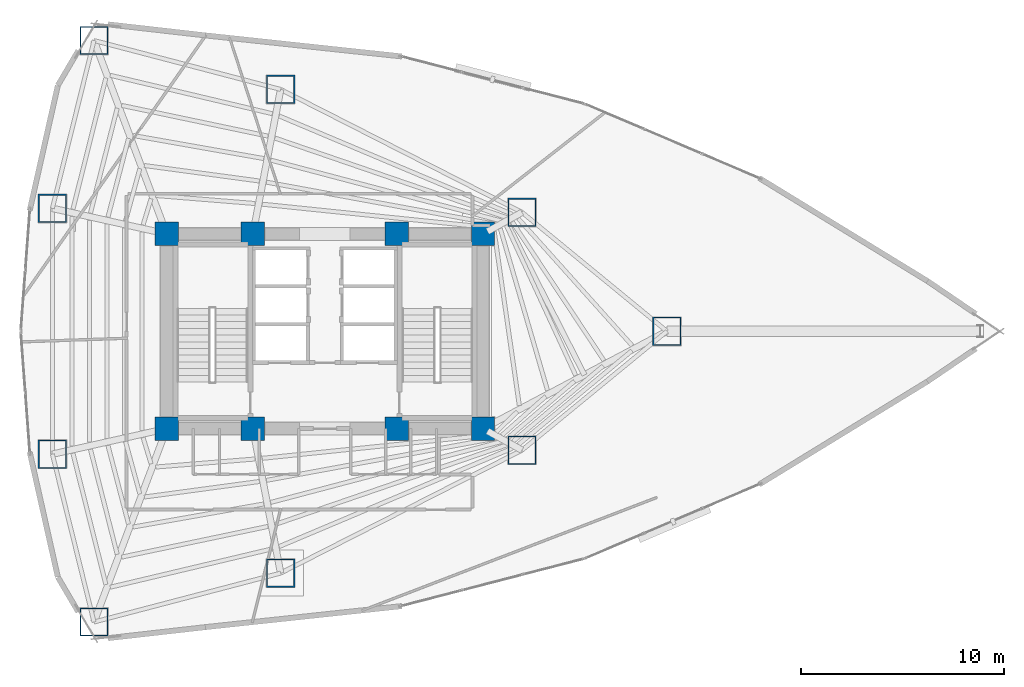
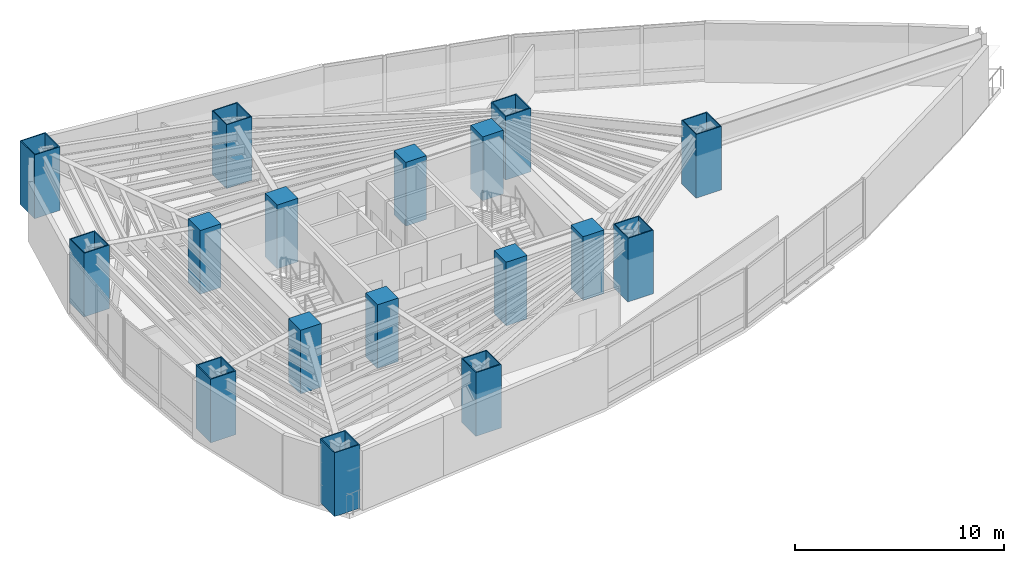
# One storey, part 1 of 20: 17 columns.
"""IFC4 building model written with IfcOpenShell, lengths in metres."""

from ifc_helpers import new_model, si_unit, direction, frame, origin, origin_2d, place, context, subcontext, project, spatial, rectangle, hollow_rectangle, extrude, material, material_profile, profile_set, type_object, element, save


model = new_model("IFC4")

# Units and contexts
model_context = context("Model", 3, precision=1e-05, world=origin(), true_north=direction((0.0, 1.0)))
body_context = subcontext(model_context, "Body", "Model", "MODEL_VIEW")
ifc_project = project(units=[si_unit("LENGTHUNIT", "METRE"), si_unit("AREAUNIT", "SQUARE_METRE"), si_unit("VOLUMEUNIT", "CUBIC_METRE"), si_unit("PLANEANGLEUNIT", "RADIAN"), si_unit("MASSUNIT", "GRAM", prefix="KILO")], contexts=[model_context])

# Site, building, storey
site_placement = place(None, origin())
site = spatial("IfcSite", under=ifc_project, at=site_placement, CompositionType="ELEMENT")
building_placement = place(site_placement, origin())
building = spatial("IfcBuilding", under=site, at=building_placement, Name="Menara Vayukalpa", CompositionType="ELEMENT")
storey_placement = place(building_placement, frame((0.0, 0.0, 57.360107421875)))
storey = spatial("IfcBuildingStorey", under=building, at=storey_placement, Name="L13", CompositionType="ELEMENT", Elevation=57.360107421875)

# Columns
ifc_material_1 = material(Name="Concrete C80/95", Category="concrete")
ifc_material_profile_1 = material_profile(ifc_material_1, rectangle(XDim=1.14990234375, YDim=1.14990234375, at=origin_2d()), Name="RC 1150x1150")
ifc_profile_set_1 = profile_set([ifc_material_profile_1], Name="Concrete C80/95")
column_type_1 = type_object("IfcColumnType", Name="COL-CC1", PredefinedType="COLUMN", material=ifc_profile_set_1)
for number, where, z_axis, x_axis, name in (
    (1, (17.800048828125, 17.199951171875, 0.0), (0.0, 0.0, 1.0), (1.0, 0.0, 0.0), "L13 Core Pilaster Column CC1"),
    (2, (22.050048828125, 17.199951171875, 0.0), (0.0, 0.0, 1.0), (1.0, 0.0, 0.0), "L13 Core Pilaster Column CC2"),
    (3, (29.14990234375, 17.199951171875, 0.0), (0.0, 0.0, 1.0), (1.0, 0.0, 0.0), "L13 Core Pilaster Column CC3"),
    (4, (33.39990234375, 17.199951171875, 0.0), (0.0, 0.0, 1.0), (1.0, 0.0, 0.0), "L13 Core Pilaster Column CC4"),
    (5, (17.800048828125, 26.800048828125, 0.0), (0.0, 0.0, 1.0), (1.0, 0.0, 0.0), "L13 Core Pilaster Column CC5"),
    (6, (22.050048828125, 26.800048828125, 0.0), (0.0, 0.0, 1.0), (1.0, 0.0, 0.0), "L13 Core Pilaster Column CC6"),
    (7, (29.14990234375, 26.800048828125, 0.0), (0.0, 0.0, 1.0), (1.0, 0.0, 0.0), "L13 Core Pilaster Column CC7"),
    (8, (33.39990234375, 26.800048828125, 0.0), (0.0, 0.0, 1.0), (1.0, 0.0, 0.0), "L13 Core Pilaster Column CC8"),
):
    element("IfcColumn", number, at=place(storey_placement, frame(where, z_axis=z_axis, x_axis=x_axis)), inside=storey, type_object=column_type_1, Name=name, PredefinedType="COLUMN", context=body_context, shape_type="SweptSolid", body=[
        extrude(rectangle(XDim=1.14990234375, YDim=1.14990234375, at=origin_2d()), origin(), (0.0, 0.0, 1.0), 3.719970703125),
    ])
ifc_material_2 = material(Name="Steel S460", Category="steel")
ifc_material_profile_2 = material_profile(ifc_material_2, hollow_rectangle(XDim=1.39990234375, YDim=1.39990234375, WallThickness=0.054931640625, at=origin_2d()), Name="BOX 1400x1400x55")
ifc_profile_set_2 = profile_set([ifc_material_profile_2], Name="Steel S460")
column_type_2 = type_object("IfcColumnType", Name="COL-MC1", PredefinedType="COLUMN", material=ifc_profile_set_2)
for number, where, z_axis, x_axis, name in (
    (9, (42.46484375, 22.0, 0.0), (0.0, 0.0, 1.0), (1.0, 0.0, 0.0), "L13 Perimeter Mega Column P01"),
    (10, (35.318115234375, 27.86328125, 0.0), (0.0, 0.0, 1.0), (1.0, 0.0, 0.0), "L13 Perimeter Mega Column P02"),
    (11, (23.41943359375, 33.9228515625, 0.0), (0.0, 0.0, 1.0), (1.0, 0.0, 0.0), "L13 Perimeter Mega Column P03"),
    (12, (14.217529296875, 36.33447265625, 0.0), (0.0, 0.0, 1.0), (1.0, 0.0, 0.0), "L13 Perimeter Mega Column P04"),
    (13, (12.164306640625, 28.0595703125, 0.0), (0.0, 0.0, 1.0), (1.0, 0.0, 0.0), "L13 Perimeter Mega Column P05"),
    (14, (12.164306640625, 15.9404296875, 0.0), (0.0, 0.0, 1.0), (1.0, 0.0, 0.0), "L13 Perimeter Mega Column P06"),
    (15, (14.217529296875, 7.66552734375, 0.0), (0.0, 0.0, 1.0), (1.0, 0.0, 0.0), "L13 Perimeter Mega Column P07"),
    (16, (23.41943359375, 10.0771484375, 0.0), (0.0, 0.0, 1.0), (1.0, 0.0, 0.0), "L13 Perimeter Mega Column P08"),
    (17, (35.318115234375, 16.13671875, 0.0), (0.0, 0.0, 1.0), (1.0, 0.0, 0.0), "L13 Perimeter Mega Column P09"),
):
    element("IfcColumn", number, at=place(storey_placement, frame(where, z_axis=z_axis, x_axis=x_axis)), inside=storey, type_object=column_type_2, Name=name, PredefinedType="COLUMN", context=body_context, shape_type="SweptSolid", body=[
        extrude(hollow_rectangle(XDim=1.39990234375, YDim=1.39990234375, WallThickness=0.054931640625, at=origin_2d()), origin(), (0.0, 0.0, 1.0), 3.719970703125),
    ])

save(model, "model.ifc")
